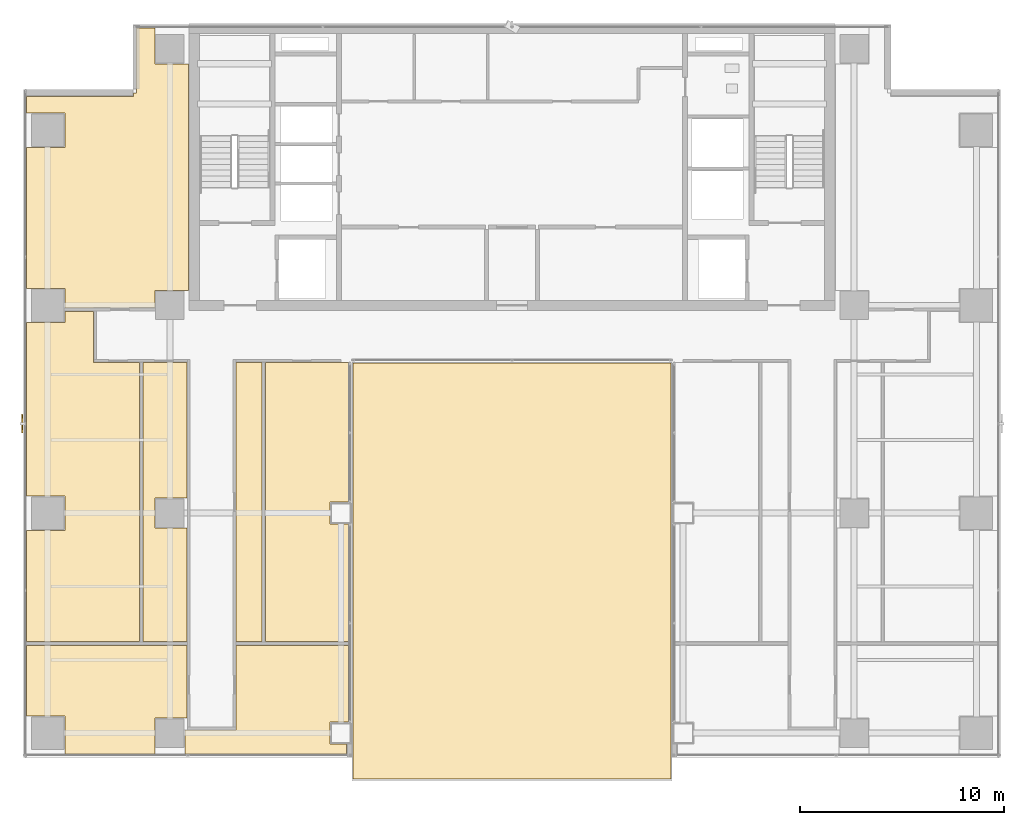
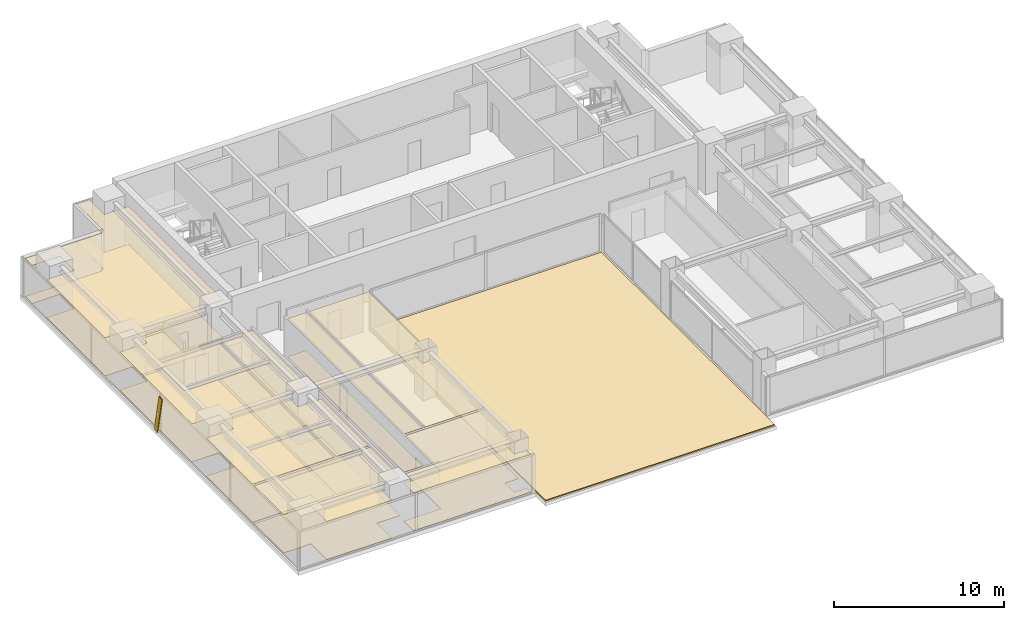
# One storey, part 27 of 30: 14 coverings, 1 shading device.
"""IFC4 building model written with IfcOpenShell, lengths in metres."""

from ifc_helpers import new_model, si_unit, direction, frame, origin, origin_2d, place, context, subcontext, project, spatial, polyline, rectangle, outline, extrude, source, transform, mapped, material, layer, layer_set, material_profile, profile_set, type_object, element, save


model = new_model("IFC4")

# Units and contexts
model_context = context("Model", 3, precision=1e-05, world=origin(), true_north=direction((0.0, 1.0)))
body_context = subcontext(model_context, "Body", "Model", "MODEL_VIEW")
ifc_project = project(units=[si_unit("LENGTHUNIT", "METRE"), si_unit("AREAUNIT", "SQUARE_METRE"), si_unit("VOLUMEUNIT", "CUBIC_METRE"), si_unit("PLANEANGLEUNIT", "RADIAN"), si_unit("MASSUNIT", "GRAM", prefix="KILO")], contexts=[model_context])

# Site, building, storey
site_placement = place(None, origin())
site = spatial("IfcSite", under=ifc_project, at=site_placement, CompositionType="ELEMENT")
building_placement = place(site_placement, origin())
building = spatial("IfcBuilding", under=site, at=building_placement, Name="Sumidabori Civic Tower", CompositionType="ELEMENT")
storey_placement = place(building_placement, frame((0.0, 0.0, 196.39990234375)))
storey = spatial("IfcBuildingStorey", under=building, at=storey_placement, Name="L50", CompositionType="ELEMENT", Elevation=196.39990234375)

# Coverings
ifc_material_1 = material(Name="Acoustic Mineral Gypsum Ceiling Tile")
ifc_layer_1 = layer(ifc_material_1, 0.034912109375, Name="Acoustic Mineral Gypsum Ceiling Tile")
ifc_layer_set_1 = layer_set([ifc_layer_1], Name="Acoustic Mineral Gypsum Ceiling Tile")
covering_type_1 = type_object("IfcCoveringType", Name="CV-CEIL-AC1", PredefinedType="CEILING", material=ifc_layer_set_1)
covering_1_placement = place(storey_placement, frame((0.0, 0.0, 2.72998046875)))
element("IfcCovering", 1, at=covering_1_placement, inside=storey, type_object=covering_type_1, Name="Room Acoustic Ceiling L50-01", PredefinedType="CEILING", context=body_context, shape_type="SweptSolid", body=[
    extrude(outline(polyline([(-23.830078125, 17.9599609375), (-21.9599609375, 17.9599609375), (-21.9599609375, 19.639892578125), (-23.830078125, 19.639892578125), (-23.830078125, 20.471923828125), (-18.592041015625, 20.471923828125), (-18.592041015625, 20.6298828125), (-18.429931640625, 20.6298828125), (-18.429931640625, 23.830078125), (-17.5400390625, 23.830078125), (-17.5400390625, 22.06005859375), (-15.8779296875, 22.06005859375), (-15.8779296875, 10.93994140625), (-17.5400390625, 10.93994140625), (-17.5400390625, 10.10498046875), (-20.554931640625, 10.10498046875), (-20.554931640625, 10.08740234375), (-21.9599609375, 10.08740234375), (-21.9599609375, 11.0400390625), (-23.830078125, 11.0400390625), (-23.830078125, 17.9599609375)])), origin(), (0.0, 0.0, 1.0), 0.03515625),
])
covering_2_placement = place(storey_placement, frame((0.0, 0.0, 2.72998046875)))
element("IfcCovering", 2, at=covering_2_placement, inside=storey, type_object=covering_type_1, Name="Room Acoustic Ceiling L50-03", PredefinedType="CEILING", context=body_context, shape_type="SweptSolid", body=[
    extrude(outline(polyline([(-23.830078125, -6.3125), (-23.830078125, -0.840087890625), (-21.9599609375, -0.840087890625), (-21.9599609375, 0.840087890625), (-23.830078125, 0.840087890625), (-23.830078125, 9.360107421875), (-21.9599609375, 9.360107421875), (-21.9599609375, 9.91259765625), (-20.554931640625, 9.91259765625), (-20.554931640625, 7.39501953125), (-18.28759765625, 7.39501953125), (-18.28759765625, -6.3125), (-23.830078125, -6.3125)])), origin(), (0.0, 0.0, 1.0), 0.03515625),
])
covering_3_placement = place(storey_placement, frame((0.0, 0.0, 2.72998046875)))
element("IfcCovering", 3, at=covering_3_placement, inside=storey, type_object=covering_type_1, Name="Room Acoustic Ceiling L50-05", PredefinedType="CEILING", context=body_context, shape_type="SweptSolid", body=[
    extrude(outline(polyline([(-18.112548828125, -6.3125), (-18.112548828125, 7.39501953125), (-15.955078125, 7.39501953125), (-15.955078125, 0.739990234375), (-17.5400390625, 0.739990234375), (-17.5400390625, -0.739990234375), (-15.955078125, -0.739990234375), (-15.955078125, -6.3125), (-18.112548828125, -6.3125)])), origin(), (0.0, 0.0, 1.0), 0.03515625),
])
covering_4_placement = place(storey_placement, frame((0.0, 0.0, 2.72998046875)))
element("IfcCovering", 4, at=covering_4_placement, inside=storey, type_object=covering_type_1, Name="Room Acoustic Ceiling L50-06", PredefinedType="CEILING", context=body_context, shape_type="SweptSolid", body=[
    extrude(outline(polyline([(-12.112548828125, 7.39501953125), (-8.02001953125, 7.39501953125), (-8.02001953125, 0.5400390625), (-8.93994140625, 0.5400390625), (-8.93994140625, -0.5400390625), (-8.02001953125, -0.5400390625), (-8.02001953125, -6.3125), (-12.112548828125, -6.3125), (-12.112548828125, 7.39501953125)])), origin(), (0.0, 0.0, 1.0), 0.03515625),
])
covering_5_placement = place(storey_placement, frame((0.0, 0.0, 2.72998046875)))
element("IfcCovering", 5, at=covering_5_placement, inside=storey, type_object=covering_type_1, Name="Room Acoustic Ceiling L50-09", PredefinedType="CEILING", context=body_context, shape_type="SweptSolid", body=[
    extrude(outline(polyline([(-13.544921875, 7.39501953125), (-12.28759765625, 7.39501953125), (-12.28759765625, -6.3125), (-13.544921875, -6.3125), (-13.544921875, 7.39501953125)])), origin(), (0.0, 0.0, 1.0), 0.03515625),
])
covering_6_placement = place(storey_placement, frame((0.0, 0.0, 2.72998046875)))
element("IfcCovering", 6, at=covering_6_placement, inside=storey, type_object=covering_type_1, Name="Room Acoustic Ceiling L50-11", PredefinedType="CEILING", context=body_context, shape_type="SweptSolid", body=[
    extrude(outline(polyline([(-23.830078125, -6.487548828125), (-15.955078125, -6.487548828125), (-15.955078125, -10.06005859375), (-17.5400390625, -10.06005859375), (-17.5400390625, -11.830078125), (-21.9599609375, -11.830078125), (-21.9599609375, -9.9599609375), (-23.830078125, -9.9599609375), (-23.830078125, -6.487548828125)])), origin(), (0.0, 0.0, 1.0), 0.03515625),
])
covering_7_placement = place(storey_placement, frame((0.0, 0.0, 2.72998046875)))
element("IfcCovering", 7, at=covering_7_placement, inside=storey, type_object=covering_type_1, Name="Room Acoustic Ceiling L50-13", PredefinedType="CEILING", context=body_context, shape_type="SweptSolid", body=[
    extrude(outline(polyline([(-16.06005859375, -10.655029296875), (-13.544921875, -10.655029296875), (-13.544921875, -6.487548828125), (-8.02001953125, -6.487548828125), (-8.02001953125, -10.260009765625), (-8.93994140625, -10.260009765625), (-8.93994140625, -11.340087890625), (-8.117919921875, -11.341796875), (-8.117919921875, -11.830078125), (-16.06005859375, -11.830078125), (-16.06005859375, -10.655029296875)])), origin(), (0.0, 0.0, 1.0), 0.03515625),
])
ifc_material_2 = material(Name="Honed Terrazzo Tile Flooring")
ifc_layer_2 = layer(ifc_material_2, 0.030029296875, Name="Honed Terrazzo Tile Flooring")
ifc_layer_set_2 = layer_set([ifc_layer_2], Name="Honed Terrazzo Tile Flooring")
covering_type_2 = type_object("IfcCoveringType", Name="CV-FLR-TER", PredefinedType="FLOORING", material=ifc_layer_set_2)
covering_8_placement = place(storey_placement, origin())
element("IfcCovering", 8, at=covering_8_placement, inside=storey, type_object=covering_type_2, Name="Room Terrazzo Floor L50-01", PredefinedType="FLOORING", context=body_context, shape_type="SweptSolid", body=[
    extrude(outline(polyline([(-23.830078125, 17.9599609375), (-21.9599609375, 17.9599609375), (-21.9599609375, 19.639892578125), (-23.830078125, 19.639892578125), (-23.830078125, 20.471923828125), (-18.592041015625, 20.471923828125), (-18.592041015625, 20.6298828125), (-18.429931640625, 20.6298828125), (-18.429931640625, 23.830078125), (-17.5400390625, 23.830078125), (-17.5400390625, 22.06005859375), (-15.8779296875, 22.06005859375), (-15.8779296875, 10.93994140625), (-17.5400390625, 10.93994140625), (-17.5400390625, 10.10498046875), (-20.554931640625, 10.10498046875), (-20.554931640625, 10.08740234375), (-21.9599609375, 10.08740234375), (-21.9599609375, 11.0400390625), (-23.830078125, 11.0400390625), (-23.830078125, 17.9599609375)])), origin(), (0.0, 0.0, 1.0), 0.030029296875),
])
covering_9_placement = place(storey_placement, origin())
element("IfcCovering", 9, at=covering_9_placement, inside=storey, type_object=covering_type_2, Name="Room Terrazzo Floor L50-03", PredefinedType="FLOORING", context=body_context, shape_type="SweptSolid", body=[
    extrude(outline(polyline([(-23.830078125, -6.3125), (-23.830078125, -0.840087890625), (-21.9599609375, -0.840087890625), (-21.9599609375, 0.840087890625), (-23.830078125, 0.840087890625), (-23.830078125, 9.360107421875), (-21.9599609375, 9.360107421875), (-21.9599609375, 9.91259765625), (-20.554931640625, 9.91259765625), (-20.554931640625, 7.39501953125), (-18.28759765625, 7.39501953125), (-18.28759765625, -6.3125), (-23.830078125, -6.3125)])), origin(), (0.0, 0.0, 1.0), 0.030029296875),
])
covering_10_placement = place(storey_placement, origin())
element("IfcCovering", 10, at=covering_10_placement, inside=storey, type_object=covering_type_2, Name="Room Terrazzo Floor L50-05", PredefinedType="FLOORING", context=body_context, shape_type="SweptSolid", body=[
    extrude(outline(polyline([(-18.112548828125, -6.3125), (-18.112548828125, 7.39501953125), (-15.955078125, 7.39501953125), (-15.955078125, 0.739990234375), (-17.5400390625, 0.739990234375), (-17.5400390625, -0.739990234375), (-15.955078125, -0.739990234375), (-15.955078125, -6.3125), (-18.112548828125, -6.3125)])), origin(), (0.0, 0.0, 1.0), 0.030029296875),
])
covering_11_placement = place(storey_placement, origin())
element("IfcCovering", 11, at=covering_11_placement, inside=storey, type_object=covering_type_2, Name="Room Terrazzo Floor L50-09", PredefinedType="FLOORING", context=body_context, shape_type="SweptSolid", body=[
    extrude(outline(polyline([(-13.544921875, 7.39501953125), (-12.28759765625, 7.39501953125), (-12.28759765625, -6.3125), (-13.544921875, -6.3125), (-13.544921875, 7.39501953125)])), origin(), (0.0, 0.0, 1.0), 0.030029296875),
])
covering_12_placement = place(storey_placement, origin())
element("IfcCovering", 12, at=covering_12_placement, inside=storey, type_object=covering_type_2, Name="Room Terrazzo Floor L50-11", PredefinedType="FLOORING", context=body_context, shape_type="SweptSolid", body=[
    extrude(outline(polyline([(-23.830078125, -6.487548828125), (-15.955078125, -6.487548828125), (-15.955078125, -10.06005859375), (-17.5400390625, -10.06005859375), (-17.5400390625, -11.830078125), (-21.9599609375, -11.830078125), (-21.9599609375, -9.9599609375), (-23.830078125, -9.9599609375), (-23.830078125, -6.487548828125)])), origin(), (0.0, 0.0, 1.0), 0.030029296875),
])
covering_13_placement = place(storey_placement, origin())
element("IfcCovering", 13, at=covering_13_placement, inside=storey, type_object=covering_type_2, Name="Room Terrazzo Floor L50-13", PredefinedType="FLOORING", context=body_context, shape_type="SweptSolid", body=[
    extrude(outline(polyline([(-16.06005859375, -10.655029296875), (-13.544921875, -10.655029296875), (-13.544921875, -6.487548828125), (-8.02001953125, -6.487548828125), (-8.02001953125, -10.260009765625), (-8.93994140625, -10.260009765625), (-8.93994140625, -11.340087890625), (-8.117919921875, -11.341796875), (-8.117919921875, -11.830078125), (-16.06005859375, -11.830078125), (-16.06005859375, -10.655029296875)])), origin(), (0.0, 0.0, 1.0), 0.030029296875),
])
ifc_material_3 = material(Name="Insulated Waterproof Roofing Membrane")
ifc_layer_3 = layer(ifc_material_3, 0.080078125, Name="Insulated Waterproof Roofing Membrane")
ifc_layer_set_3 = layer_set([ifc_layer_3], Name="Insulated Waterproof Roofing Membrane")
covering_type_3 = type_object("IfcCoveringType", Name="CV-ROOF-MEM", PredefinedType="ROOFING", material=ifc_layer_set_3)
covering_14_placement = place(storey_placement, origin())
element("IfcCovering", 14, at=covering_14_placement, inside=storey, type_object=covering_type_3, Name="Portal Sill Roof Membrane L50-1", PredefinedType="ROOFING", context=body_context, shape_type="SweptSolid", body=[
    extrude(outline(polyline([(7.800048828125, -13.050048828125), (7.800048828125, 7.3798828125), (-7.800048828125, 7.3798828125), (-7.800048828125, -13.050048828125), (7.800048828125, -13.050048828125)])), origin(), (0.0, 0.0, 1.0), 0.080078125),
])

# Shading device
ifc_material_4 = material(Name="Anodised Bronze Aluminium AW-6063-T6", Category="aluminium")
ifc_material_profile = material_profile(ifc_material_4, rectangle(XDim=0.054931640625, YDim=0.360107421875, at=origin_2d()), Name="BRONZE FIN 360x55")
ifc_profile_set = profile_set([ifc_material_profile], Name="Anodised Bronze Aluminium AW-6063-T6")
shading_device_type = type_object("IfcShadingDeviceType", Name="SH-FIN-360", PredefinedType="USERDEFINED", material=ifc_profile_set)
shared_shape = source(origin(), body_context, "Body", "SweptSolid", [
    extrude(rectangle(XDim=0.054931640625, YDim=0.360107421875, at=origin_2d()), origin(), (0.0, 0.0, 1.0), 2.757568359375),
])
shading_device_placement = place(storey_placement, frame((-24.050048828125, 4.679931640625, 0.02001953125), z_axis=(0.0, -0.203006661687, 0.979177356412), x_axis=(-1.0, 0.0, 0.0)))
element("IfcShadingDevice", 15, at=shading_device_placement, inside=storey, type_object=shading_device_type, Name="Bronze Anodised Diagonal Fin L50-02", ObjectType="FIN", PredefinedType="USERDEFINED", context=body_context, shape_type="MappedRepresentation", body=[
    mapped(shared_shape, transform((0.0, 0.0, 0.0), x_axis=(1.0, 0.0, 0.0), y_axis=(0.0, 1.0, 0.0), z_axis=(0.0, 0.0, 1.0), scale=1.0)),
])

save(model, "model.ifc")
